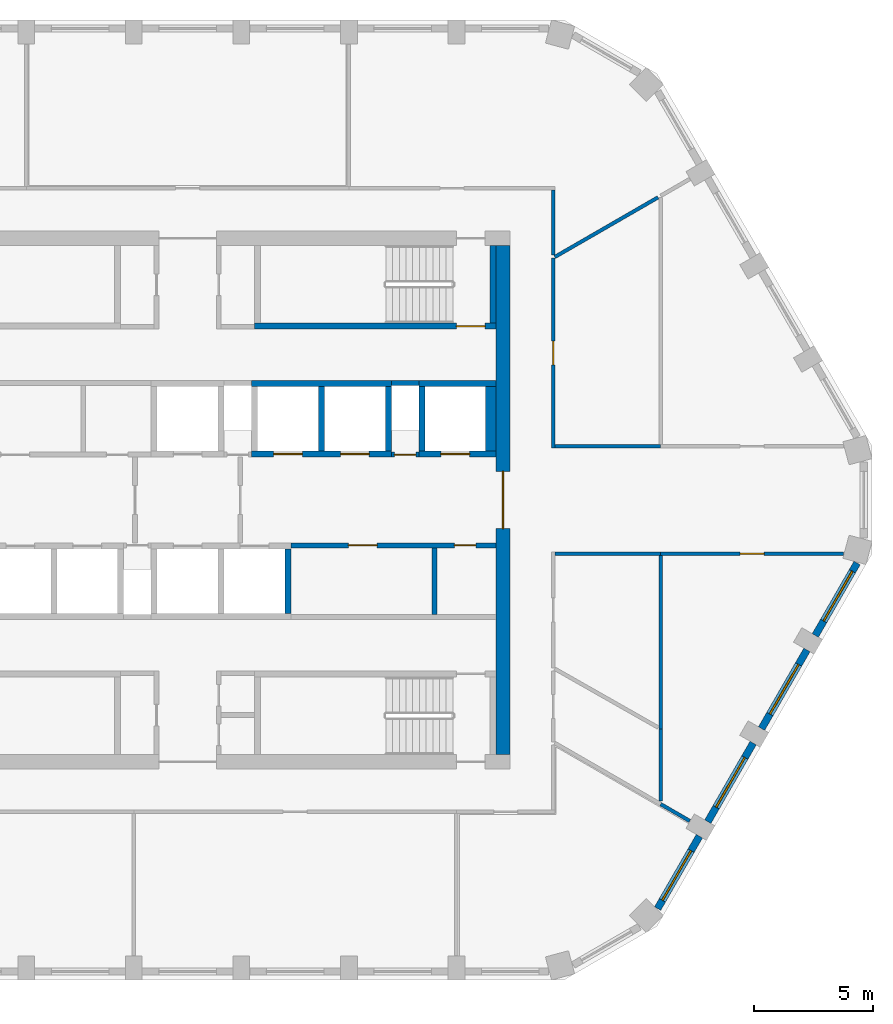
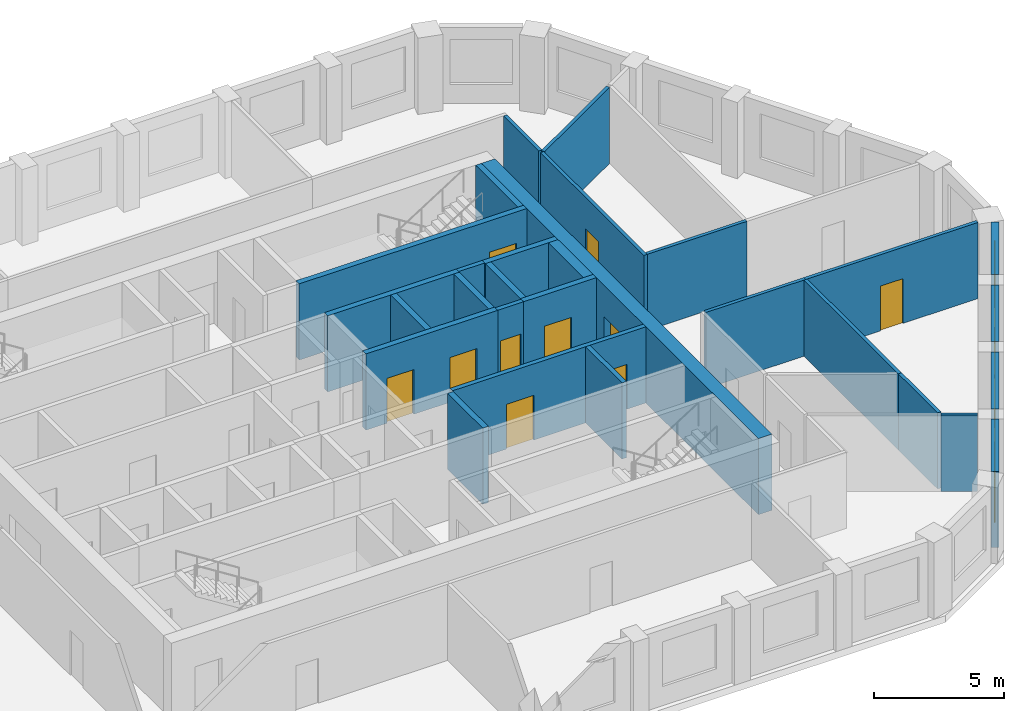
# One storey, part 5 of 10: 29 walls, 10 doors, 4 windows, 14 openings.
"""IFC4 building model written with IfcOpenShell, lengths in metres."""

from ifc_helpers import new_model, si_unit, direction, frame, frame_2d, origin, place, context, subcontext, project, spatial, polyline, rectangle, outline, extrude, material, layer, layer_set, type_object, element, fill, save


model = new_model("IFC4")

# Units and contexts
model_context = context("Model", 3, precision=1e-05, world=origin(), true_north=direction((0.0, 1.0)))
body_context = subcontext(model_context, "Body", "Model", "MODEL_VIEW")
ifc_project = project(units=[si_unit("LENGTHUNIT", "METRE"), si_unit("AREAUNIT", "SQUARE_METRE"), si_unit("VOLUMEUNIT", "CUBIC_METRE"), si_unit("PLANEANGLEUNIT", "RADIAN"), si_unit("MASSUNIT", "GRAM", prefix="KILO")], contexts=[model_context])

# Site, building, storey
site_placement = place(None, origin())
site = spatial("IfcSite", under=ifc_project, at=site_placement, CompositionType="ELEMENT")
building_placement = place(site_placement, origin())
building = spatial("IfcBuilding", under=site, at=building_placement, Name="Dhurran Vertical Campus", CompositionType="ELEMENT")
storey_placement = place(building_placement, frame((0.0, 0.0, 254.699951171875)))
storey = spatial("IfcBuildingStorey", under=building, at=storey_placement, Name="L63", CompositionType="ELEMENT", Elevation=254.699951171875)

# Wall, opening, window
ifc_material_1 = material(Name="Precast concrete C50/60", Category="concrete")
ifc_layer_1 = layer(ifc_material_1, 0.300048828125)
ifc_layer_set_1 = layer_set([ifc_layer_1], Name="Precast concrete C50/60")
wall_type_1 = type_object("IfcWallType", Name="Precast spandrel wall 300", PredefinedType="SOLIDWALL", material=ifc_layer_set_1)
wall_1_placement = place(storey_placement, frame((19.669921875, -17.09912109375, 0.0), z_axis=(0.0, 0.0, 1.0), x_axis=(0.499960102815, 0.866048437209, 0.0)))
wall_1 = element("IfcWall", 1, at=wall_1_placement, inside=storey, type_object=wall_type_1, Name="EW1 L63.08", PredefinedType="SOLIDWALL", context=body_context, shape_type="SweptSolid", body=[
    extrude(rectangle(XDim=3.497802734375, YDim=0.300048828125, at=frame_2d((1.7490234375, 0.0))), origin(), (0.0, 0.0, 1.0), 3.574951171875),
])
opening_1_placement = place(wall_1_placement, frame((0.398193359375, 0.0, 0.89990234375)))
opening_1 = element("IfcOpeningElement", 2, at=opening_1_placement, cuts=wall_1, Name="Opening WT1", PredefinedType="OPENING", context=body_context, shape_type="SweptSolid", body=[
    extrude(rectangle(XDim=2.39990234375, YDim=2.10009765625, at=frame_2d((1.199951171875, 1.050048828125))), frame((0.0, 0.159912109375, 0.0), z_axis=(0.0, -1.0, 0.0), x_axis=(1.0, 0.0, 0.0)), (0.0, 0.0, 1.0), 0.320068359375),
])
ifc_material_2 = material(Name="Aluminium frame with solar-control glass", Category="aluminium")
window_type = type_object("IfcWindowType", Name="Punched window 2400 x 2100", PartitioningType="SINGLE_PANEL", PredefinedType="WINDOW", material=ifc_material_2)
window_1_placement = place(opening_1_placement, origin())
window_1 = element("IfcWindow", 3, at=window_1_placement, inside=storey, type_object=window_type, Name="WT1 L63.08", OverallHeight=2.10009765625, OverallWidth=2.39990234375, PartitioningType="SINGLE_PANEL", PredefinedType="WINDOW", context=body_context, shape_type="SweptSolid", body=[
    extrude(rectangle(XDim=2.39990234375, YDim=2.10009765625, at=frame_2d((1.199951171875, 1.050048828125))), frame((0.0, 0.030029296875, 0.0), z_axis=(0.0, -1.0, 0.0), x_axis=(1.0, 0.0, 0.0)), (0.0, 0.0, 1.0), 0.06005859375),
])
fill(opening_1, window_1)

wall_2_placement = place(storey_placement, frame((21.769287109375, -13.462890625, 0.0), z_axis=(0.0, 0.0, 1.0), x_axis=(0.499982058975, 0.866035761792, 0.0)))
wall_2 = element("IfcWall", 4, at=wall_2_placement, inside=storey, type_object=wall_type_1, Name="EW1 L63.09", PredefinedType="SOLIDWALL", context=body_context, shape_type="SweptSolid", body=[
    extrude(rectangle(XDim=3.799072265625, YDim=0.300048828125, at=frame_2d((1.8994140625, 0.0))), origin(), (0.0, 0.0, 1.0), 3.574951171875),
])
opening_2_placement = place(wall_2_placement, frame((0.699462890625, 0.0, 0.89990234375)))
opening_2 = element("IfcOpeningElement", 5, at=opening_2_placement, cuts=wall_2, Name="Opening WT1", PredefinedType="OPENING", context=body_context, shape_type="SweptSolid", body=[
    extrude(rectangle(XDim=2.39990234375, YDim=2.10009765625, at=frame_2d((1.199951171875, 1.050048828125))), frame((0.0, 0.159912109375, 0.0), z_axis=(0.0, -1.0, 0.0), x_axis=(1.0, 0.0, 0.0)), (0.0, 0.0, 1.0), 0.320068359375),
])
window_2_placement = place(opening_2_placement, origin())
window_2 = element("IfcWindow", 6, at=window_2_placement, inside=storey, type_object=window_type, Name="WT1 L63.09", OverallHeight=2.10009765625, OverallWidth=2.39990234375, PartitioningType="SINGLE_PANEL", PredefinedType="WINDOW", context=body_context, shape_type="SweptSolid", body=[
    extrude(rectangle(XDim=2.39990234375, YDim=2.10009765625, at=frame_2d((1.199951171875, 1.050048828125))), frame((0.0, 0.030029296875, 0.0), z_axis=(0.0, -1.0, 0.0), x_axis=(1.0, 0.0, 0.0)), (0.0, 0.0, 1.0), 0.06005859375),
])
fill(opening_2, window_2)

wall_3_placement = place(storey_placement, frame((24.019287109375, -9.565673828125, 0.0), z_axis=(0.0, 0.0, 1.0), x_axis=(0.499982058975, 0.866035761792, 0.0)))
wall_3 = element("IfcWall", 7, at=wall_3_placement, inside=storey, type_object=wall_type_1, Name="EW1 L63.10", PredefinedType="SOLIDWALL", context=body_context, shape_type="SweptSolid", body=[
    extrude(rectangle(XDim=3.799072265625, YDim=0.300048828125, at=frame_2d((1.8994140625, 0.0))), origin(), (0.0, 0.0, 1.0), 3.574951171875),
])
opening_3_placement = place(wall_3_placement, frame((0.699462890625, 0.0, 0.89990234375)))
opening_3 = element("IfcOpeningElement", 8, at=opening_3_placement, cuts=wall_3, Name="Opening WT1", PredefinedType="OPENING", context=body_context, shape_type="SweptSolid", body=[
    extrude(rectangle(XDim=2.39990234375, YDim=2.10009765625, at=frame_2d((1.199951171875, 1.050048828125))), frame((0.0, 0.159912109375, 0.0), z_axis=(0.0, -1.0, 0.0), x_axis=(1.0, 0.0, 0.0)), (0.0, 0.0, 1.0), 0.320068359375),
])
window_3_placement = place(opening_3_placement, origin())
window_3 = element("IfcWindow", 9, at=window_3_placement, inside=storey, type_object=window_type, Name="WT1 L63.10", OverallHeight=2.10009765625, OverallWidth=2.39990234375, PartitioningType="SINGLE_PANEL", PredefinedType="WINDOW", context=body_context, shape_type="SweptSolid", body=[
    extrude(rectangle(XDim=2.39990234375, YDim=2.10009765625, at=frame_2d((1.199951171875, 1.050048828125))), frame((0.0, 0.030029296875, 0.0), z_axis=(0.0, -1.0, 0.0), x_axis=(1.0, 0.0, 0.0)), (0.0, 0.0, 1.0), 0.06005859375),
])
fill(opening_3, window_3)

wall_4_placement = place(storey_placement, frame((26.269287109375, -5.668701171875, 0.0), z_axis=(0.0, 0.0, 1.0), x_axis=(0.499990325971, 0.866030989016, 0.0)))
wall_4 = element("IfcWall", 10, at=wall_4_placement, inside=storey, type_object=wall_type_1, Name="EW1 L63.11", PredefinedType="SOLIDWALL", context=body_context, shape_type="SweptSolid", body=[
    extrude(rectangle(XDim=3.49755859375, YDim=0.300048828125, at=frame_2d((1.748779296875, 0.0))), origin(), (0.0, 0.0, 1.0), 3.574951171875),
])
opening_4_placement = place(wall_4_placement, frame((0.699462890625, 0.0, 0.89990234375)))
opening_4 = element("IfcOpeningElement", 11, at=opening_4_placement, cuts=wall_4, Name="Opening WT1", PredefinedType="OPENING", context=body_context, shape_type="SweptSolid", body=[
    extrude(rectangle(XDim=2.39990234375, YDim=2.10009765625, at=frame_2d((1.199951171875, 1.050048828125))), frame((0.0, 0.159912109375, 0.0), z_axis=(0.0, -1.0, 0.0), x_axis=(1.0, 0.0, 0.0)), (0.0, 0.0, 1.0), 0.320068359375),
])
window_4_placement = place(opening_4_placement, origin())
window_4 = element("IfcWindow", 12, at=window_4_placement, inside=storey, type_object=window_type, Name="WT1 L63.11", OverallHeight=2.10009765625, OverallWidth=2.39990234375, PartitioningType="SINGLE_PANEL", PredefinedType="WINDOW", context=body_context, shape_type="SweptSolid", body=[
    extrude(rectangle(XDim=2.39990234375, YDim=2.10009765625, at=frame_2d((1.199951171875, 1.050048828125))), frame((0.0, 0.030029296875, 0.0), z_axis=(0.0, -1.0, 0.0), x_axis=(1.0, 0.0, 0.0)), (0.0, 0.0, 1.0), 0.06005859375),
])
fill(opening_4, window_4)

# Wall, opening, door
ifc_material_3 = material(Name="Concrete C50/60", Category="concrete")
ifc_layer_2 = layer(ifc_material_3, 0.60009765625)
ifc_layer_set_2 = layer_set([ifc_layer_2], Name="Concrete C50/60")
wall_type_2 = type_object("IfcWallType", Name="co-CORE-WALL-C2-600", PredefinedType="SHEAR", material=ifc_layer_set_2)
wall_5_placement = place(storey_placement, frame((13.199951171875, -10.64990234375, 0.0), z_axis=(0.0, 0.0, 1.0), x_axis=(0.0, 1.0, 0.0)))
wall_5 = element("IfcWall", 13, at=wall_5_placement, inside=storey, type_object=wall_type_2, Name="Core wall E L63", PredefinedType="SHEAR", context=body_context, shape_type="SweptSolid", body=[
    extrude(rectangle(XDim=21.2998046875, YDim=0.60009765625, at=frame_2d((10.64990234375, 0.0))), origin(), (0.0, 0.0, 1.0), 3.574951171875),
])
opening_5_placement = place(wall_5_placement, frame((9.449951171875, 0.0, 0.0)))
opening_5 = element("IfcOpeningElement", 14, at=opening_5_placement, cuts=wall_5, Name="Opening CL2", PredefinedType="OPENING", context=body_context, shape_type="SweptSolid", body=[
    extrude(rectangle(XDim=2.39990234375, YDim=2.10009765625, at=frame_2d((1.199951171875, 1.050048828125))), frame((0.0, 0.31005859375, 0.0), z_axis=(0.0, -1.0, 0.0), x_axis=(1.0, 0.0, 0.0)), (0.0, 0.0, 1.0), 0.6201171875),
])
ifc_material_4 = material(Name="Fire-rated glazed door set")
door_type_1 = type_object("IfcDoorType", Name="co-D-LOBBY 2400x2100", OperationType="DOUBLE_DOOR_DOUBLE_SWING", PredefinedType="DOOR", material=ifc_material_4)
door_1_placement = place(opening_5_placement, origin())
door_1 = element("IfcDoor", 15, at=door_1_placement, inside=storey, type_object=door_type_1, Name="Lift lobby door E L63", OperationType="DOUBLE_DOOR_DOUBLE_SWING", OverallHeight=2.10009765625, OverallWidth=2.39990234375, PredefinedType="DOOR", context=body_context, shape_type="SweptSolid", body=[
    extrude(rectangle(XDim=2.39990234375, YDim=2.10009765625, at=frame_2d((1.199951171875, 1.050048828125))), frame((0.0, 0.02490234375, 0.0), z_axis=(0.0, -1.0, 0.0), x_axis=(1.0, 0.0, 0.0)), (0.0, 0.0, 1.0), 0.050048828125),
])
fill(opening_5, door_1)

ifc_material_5 = material(Name="Fire-rated masonry blockwork", Category="masonry")
ifc_layer_3 = layer(ifc_material_5, 0.199951171875)
ifc_layer_set_3 = layer_set([ifc_layer_3], Name="Fire-rated masonry blockwork")
wall_type_3 = type_object("IfcWallType", Name="co-FIRE-PARTITION-200", PredefinedType="PARTITIONING", material=ifc_layer_set_3)
wall_6_placement = place(storey_placement, frame((8.52490234375, 1.89990234375, 0.0), z_axis=(0.0, 0.0, 1.0), x_axis=(1.0, 0.0, 0.0)))
wall_6 = element("IfcWall", 16, at=wall_6_placement, inside=storey, type_object=wall_type_3, Name="Core partition fr-N2-f L63", PredefinedType="PARTITIONING", context=body_context, shape_type="SweptSolid", body=[
    extrude(rectangle(XDim=1.150146484375, YDim=0.199951171875, at=frame_2d((0.5751953125, 0.0))), origin(), (0.0, 0.0, 1.0), 3.574951171875),
])
opening_6_placement = place(wall_6_placement, frame((0.125, 0.0, 0.0)))
opening_6 = element("IfcOpeningElement", 17, at=opening_6_placement, cuts=wall_6, Name="Opening T18-C10", PredefinedType="OPENING", context=body_context, shape_type="SweptSolid", body=[
    extrude(rectangle(XDim=0.89990234375, YDim=2.10009765625, at=frame_2d((0.449951171875, 1.050048828125))), frame((0.0, 0.10986328125, 0.0), z_axis=(0.0, -1.0, 0.0), x_axis=(1.0, 0.0, 0.0)), (0.0, 0.0, 1.0), 0.219970703125),
])
ifc_material_6 = material(Name="Fire-rated timber door set", Category="wood")
door_type_2 = type_object("IfcDoorType", Name="co-D-ROOM 900x2100", OperationType="SINGLE_SWING_LEFT", PredefinedType="DOOR", material=ifc_material_6)
door_2_placement = place(opening_6_placement, origin())
door_2 = element("IfcDoor", 18, at=door_2_placement, inside=storey, type_object=door_type_2, Name="Electrical riser door L63", OperationType="SINGLE_SWING_LEFT", OverallHeight=2.10009765625, OverallWidth=0.89990234375, PredefinedType="DOOR", context=body_context, shape_type="SweptSolid", body=[
    extrude(rectangle(XDim=0.89990234375, YDim=2.10009765625, at=frame_2d((0.449951171875, 1.050048828125))), frame((0.0, 0.02490234375, 0.0), z_axis=(0.0, -1.0, 0.0), x_axis=(1.0, 0.0, 0.0)), (0.0, 0.0, 1.0), 0.050048828125),
])
fill(opening_6, door_2)

# Walls
wall_7_placement = place(storey_placement, frame((8.52490234375, 4.89990234375, 0.0), z_axis=(0.0, 0.0, 1.0), x_axis=(1.0, 0.0, 0.0)))
element("IfcWall", 19, at=wall_7_placement, inside=storey, type_object=wall_type_3, Name="Core partition fr-N2-b L63", PredefinedType="PARTITIONING", context=body_context, shape_type="SweptSolid", body=[
    extrude(rectangle(XDim=1.150146484375, YDim=0.199951171875, at=frame_2d((0.5751953125, 0.0))), origin(), (0.0, 0.0, 1.0), 3.574951171875),
])
wall_8_placement = place(storey_placement, frame((10.327392578125, -4.800048828125, 0.0), z_axis=(0.0, 0.0, 1.0), x_axis=(0.0, 1.0, 0.0)))
element("IfcWall", 20, at=wall_8_placement, inside=storey, type_object=wall_type_3, Name="Core partition fr-S2-cut0 L63", PredefinedType="PARTITIONING", context=body_context, shape_type="SweptSolid", body=[
    extrude(rectangle(XDim=2.800048828125, YDim=0.199951171875, at=frame_2d((1.39990234375, 0.0))), origin(), (0.0, 0.0, 1.0), 3.574951171875),
])

# Wall, openings, doors
wall_9_placement = place(storey_placement, frame((4.324951171875, -1.89990234375, 0.0), z_axis=(0.0, 0.0, 1.0), x_axis=(1.0, 0.0, 0.0)))
wall_9 = element("IfcWall", 21, at=wall_9_placement, inside=storey, type_object=wall_type_3, Name="Core partition fr-S2-f L63", PredefinedType="PARTITIONING", context=body_context, shape_type="SweptSolid", body=[
    extrude(rectangle(XDim=8.574951171875, YDim=0.199951171875, at=frame_2d((4.28759765625, 0.0))), origin(), (0.0, 0.0, 1.0), 3.574951171875),
])
opening_7_placement = place(wall_9_placement, frame((2.4013671875, 0.0, 0.0)))
opening_7 = element("IfcOpeningElement", 22, at=opening_7_placement, cuts=wall_9, Name="Opening T18-C13", PredefinedType="OPENING", context=body_context, shape_type="SweptSolid", body=[
    extrude(rectangle(XDim=1.199951171875, YDim=2.10009765625, at=frame_2d((0.60009765625, 1.050048828125))), frame((0.0, 0.10986328125, 0.0), z_axis=(0.0, -1.0, 0.0), x_axis=(1.0, 0.0, 0.0)), (0.0, 0.0, 1.0), 0.219970703125),
])
opening_8_placement = place(wall_9_placement, frame((6.8388671875, 0.0, 0.0)))
opening_8 = element("IfcOpeningElement", 23, at=opening_8_placement, cuts=wall_9, Name="Opening T18-C14", PredefinedType="OPENING", context=body_context, shape_type="SweptSolid", body=[
    extrude(rectangle(XDim=0.89990234375, YDim=2.10009765625, at=frame_2d((0.449951171875, 1.050048828125))), frame((0.0, 0.10986328125, 0.0), z_axis=(0.0, -1.0, 0.0), x_axis=(1.0, 0.0, 0.0)), (0.0, 0.0, 1.0), 0.219970703125),
])
door_3_placement = place(opening_8_placement, origin())
door_3 = element("IfcDoor", 24, at=door_3_placement, inside=storey, type_object=door_type_2, Name="Pantry door L63", OperationType="SINGLE_SWING_LEFT", OverallHeight=2.10009765625, OverallWidth=0.89990234375, PredefinedType="DOOR", context=body_context, shape_type="SweptSolid", body=[
    extrude(rectangle(XDim=0.89990234375, YDim=2.10009765625, at=frame_2d((0.449951171875, 1.050048828125))), frame((0.0, 0.02490234375, 0.0), z_axis=(0.0, -1.0, 0.0), x_axis=(1.0, 0.0, 0.0)), (0.0, 0.0, 1.0), 0.050048828125),
])
fill(opening_8, door_3)
ifc_material_7 = material(Name="Fire-rated steel door set", Category="steel")
door_type_3 = type_object("IfcDoorType", Name="co-D-ROOM-PASSAGE 1200x2100", OperationType="SINGLE_SWING_RIGHT", PredefinedType="DOOR", material=ifc_material_7)
door_4_placement = place(opening_7_placement, origin())
door_4 = element("IfcDoor", 25, at=door_4_placement, inside=storey, type_object=door_type_3, Name="Communications room door L63", OperationType="SINGLE_SWING_RIGHT", OverallHeight=2.10009765625, OverallWidth=1.199951171875, PredefinedType="DOOR", context=body_context, shape_type="SweptSolid", body=[
    extrude(rectangle(XDim=1.199951171875, YDim=2.10009765625, at=frame_2d((0.60009765625, 1.050048828125))), frame((0.0, 0.02490234375, 0.0), z_axis=(0.0, -1.0, 0.0), x_axis=(1.0, 0.0, 0.0)), (0.0, 0.0, 1.0), 0.050048828125),
])
fill(opening_7, door_4)

ifc_material_8 = material(Name="Concrete C50/60", Category="concrete")
ifc_layer_4 = layer(ifc_material_8, 0.25)
ifc_layer_set_4 = layer_set([ifc_layer_4], Name="Concrete C50/60")
wall_type_4 = type_object("IfcWallType", Name="co-SHAFT-FRONT-250", PredefinedType="SHEAR", material=ifc_layer_set_4)
wall_10_placement = place(storey_placement, frame((2.675048828125, 1.925048828125, 0.0), z_axis=(0.0, 0.0, 1.0), x_axis=(1.0, 0.0, 0.0)))
wall_10 = element("IfcWall", 26, at=wall_10_placement, inside=storey, type_object=wall_type_4, Name="Lift landing wall N L63", PredefinedType="SHEAR", context=body_context, shape_type="SweptSolid", body=[
    extrude(rectangle(XDim=5.849853515625, YDim=0.25, at=frame_2d((2.9248046875, 0.0))), origin(), (0.0, 0.0, 1.0), 3.574951171875),
])
opening_9_placement = place(wall_10_placement, frame((0.925048828125, 0.0, 0.0)))
opening_9 = element("IfcOpeningElement", 27, at=opening_9_placement, cuts=wall_10, Name="Opening LD", PredefinedType="OPENING", context=body_context, shape_type="SweptSolid", body=[
    extrude(rectangle(XDim=1.199951171875, YDim=2.10009765625, at=frame_2d((0.60009765625, 1.050048828125))), frame((0.0, 0.135009765625, 0.0), z_axis=(0.0, -1.0, 0.0), x_axis=(1.0, 0.0, 0.0)), (0.0, 0.0, 1.0), 0.27001953125),
])
opening_10_placement = place(wall_10_placement, frame((3.72509765625, 0.0, 0.0)))
opening_10 = element("IfcOpeningElement", 28, at=opening_10_placement, cuts=wall_10, Name="Opening LD", PredefinedType="OPENING", context=body_context, shape_type="SweptSolid", body=[
    extrude(rectangle(XDim=1.199951171875, YDim=2.10009765625, at=frame_2d((0.60009765625, 1.050048828125))), frame((0.0, 0.135009765625, 0.0), z_axis=(0.0, -1.0, 0.0), x_axis=(1.0, 0.0, 0.0)), (0.0, 0.0, 1.0), 0.27001953125),
])
ifc_material_9 = material(Name="Stainless steel landing door", Category="steel")
door_type_4 = type_object("IfcDoorType", Name="co-D-LANDING 1200x2100", OperationType="DOUBLE_DOOR_SLIDING", PredefinedType="DOOR", material=ifc_material_9)
door_5_placement = place(opening_9_placement, origin())
door_5 = element("IfcDoor", 29, at=door_5_placement, inside=storey, type_object=door_type_4, Name="Landing door HR1 L63", OperationType="DOUBLE_DOOR_SLIDING", OverallHeight=2.10009765625, OverallWidth=1.199951171875, PredefinedType="DOOR", context=body_context, shape_type="SweptSolid", body=[
    extrude(rectangle(XDim=1.199951171875, YDim=2.10009765625, at=frame_2d((0.60009765625, 1.050048828125))), frame((0.0, 0.02490234375, 0.0), z_axis=(0.0, -1.0, 0.0), x_axis=(1.0, 0.0, 0.0)), (0.0, 0.0, 1.0), 0.050048828125),
])
fill(opening_9, door_5)
door_6_placement = place(opening_10_placement, origin())
door_6 = element("IfcDoor", 30, at=door_6_placement, inside=storey, type_object=door_type_4, Name="Landing door HR2 L63", OperationType="DOUBLE_DOOR_SLIDING", OverallHeight=2.10009765625, OverallWidth=1.199951171875, PredefinedType="DOOR", context=body_context, shape_type="SweptSolid", body=[
    extrude(rectangle(XDim=1.199951171875, YDim=2.10009765625, at=frame_2d((0.60009765625, 1.050048828125))), frame((0.0, 0.02490234375, 0.0), z_axis=(0.0, -1.0, 0.0), x_axis=(1.0, 0.0, 0.0)), (0.0, 0.0, 1.0), 0.050048828125),
])
fill(opening_10, door_6)

# Wall, opening, door
wall_11_placement = place(storey_placement, frame((9.675048828125, 1.925048828125, 0.0), z_axis=(0.0, 0.0, 1.0), x_axis=(1.0, 0.0, 0.0)))
wall_11 = element("IfcWall", 31, at=wall_11_placement, inside=storey, type_object=wall_type_4, Name="Lift landing wall N L63", PredefinedType="SHEAR", context=body_context, shape_type="SweptSolid", body=[
    extrude(rectangle(XDim=3.224853515625, YDim=0.25, at=frame_2d((1.6123046875, 0.0))), origin(), (0.0, 0.0, 1.0), 3.574951171875),
])
opening_11_placement = place(wall_11_placement, frame((0.925048828125, 0.0, 0.0)))
opening_11 = element("IfcOpeningElement", 32, at=opening_11_placement, cuts=wall_11, Name="Opening LD", PredefinedType="OPENING", context=body_context, shape_type="SweptSolid", body=[
    extrude(rectangle(XDim=1.199951171875, YDim=2.10009765625, at=frame_2d((0.60009765625, 1.050048828125))), frame((0.0, 0.135009765625, 0.0), z_axis=(0.0, -1.0, 0.0), x_axis=(1.0, 0.0, 0.0)), (0.0, 0.0, 1.0), 0.27001953125),
])
door_7_placement = place(opening_11_placement, origin())
door_7 = element("IfcDoor", 33, at=door_7_placement, inside=storey, type_object=door_type_4, Name="Landing door SV2 L63", OperationType="DOUBLE_DOOR_SLIDING", OverallHeight=2.10009765625, OverallWidth=1.199951171875, PredefinedType="DOOR", context=body_context, shape_type="SweptSolid", body=[
    extrude(rectangle(XDim=1.199951171875, YDim=2.10009765625, at=frame_2d((0.60009765625, 1.050048828125))), frame((0.0, 0.02490234375, 0.0), z_axis=(0.0, -1.0, 0.0), x_axis=(1.0, 0.0, 0.0)), (0.0, 0.0, 1.0), 0.050048828125),
])
fill(opening_11, door_7)

# Walls
ifc_material_10 = material(Name="Concrete C50/60", Category="concrete")
ifc_layer_5 = layer(ifc_material_10, 0.25)
ifc_layer_set_5 = layer_set([ifc_layer_5], Name="Concrete C50/60")
wall_type_5 = type_object("IfcWallType", Name="co-SHAFT-MASS-250", PredefinedType="SHEAR", material=ifc_layer_set_5)
wall_12_placement = place(storey_placement, origin())
element("IfcWall", 34, at=wall_12_placement, inside=storey, type_object=wall_type_5, Name="Lift shaft wall N L63 2", PredefinedType="SHEAR", context=body_context, shape_type="SweptSolid", body=[
    extrude(outline(polyline([(2.675048828125, 4.75), (8.52490234375, 4.75), (8.52490234375, 5.0), (2.675048828125, 5.0), (2.675048828125, 4.75)])), origin(), (0.0, 0.0, 1.0), 3.574951171875),
])
wall_13_placement = place(storey_placement, origin())
element("IfcWall", 35, at=wall_13_placement, inside=storey, type_object=wall_type_5, Name="Lift shaft wall N L63 3", PredefinedType="SHEAR", context=body_context, shape_type="SweptSolid", body=[
    extrude(outline(polyline([(9.675048828125, 4.75), (12.89990234375, 4.75), (12.89990234375, 5.0), (9.675048828125, 5.0), (9.675048828125, 4.75)])), origin(), (0.0, 0.0, 1.0), 3.574951171875),
])
wall_14_placement = place(storey_placement, origin())
element("IfcWall", 36, at=wall_14_placement, inside=storey, type_object=wall_type_5, Name="Lift shaft wall N L63 7", PredefinedType="SHEAR", context=body_context, shape_type="SweptSolid", body=[
    extrude(outline(polyline([(5.47509765625, 2.050048828125), (5.72509765625, 2.050048828125), (5.72509765625, 4.75), (5.47509765625, 4.75), (5.47509765625, 2.050048828125)])), origin(), (0.0, 0.0, 1.0), 3.574951171875),
])
wall_15_placement = place(storey_placement, origin())
element("IfcWall", 37, at=wall_15_placement, inside=storey, type_object=wall_type_5, Name="Lift shaft wall N L63 8", PredefinedType="SHEAR", context=body_context, shape_type="SweptSolid", body=[
    extrude(outline(polyline([(8.27490234375, 2.050048828125), (8.52490234375, 2.050048828125), (8.52490234375, 4.75), (8.27490234375, 4.75), (8.27490234375, 2.050048828125)])), origin(), (0.0, 0.0, 1.0), 3.574951171875),
])
wall_16_placement = place(storey_placement, origin())
element("IfcWall", 38, at=wall_16_placement, inside=storey, type_object=wall_type_5, Name="Lift shaft wall N L63 9", PredefinedType="SHEAR", context=body_context, shape_type="SweptSolid", body=[
    extrude(outline(polyline([(9.675048828125, 2.050048828125), (9.925048828125, 2.050048828125), (9.925048828125, 4.75), (9.675048828125, 4.75), (9.675048828125, 2.050048828125)])), origin(), (0.0, 0.0, 1.0), 3.574951171875),
])
wall_17_placement = place(storey_placement, origin())
element("IfcWall", 39, at=wall_17_placement, inside=storey, type_object=wall_type_5, Name="Lift shaft wall N L63 10", PredefinedType="SHEAR", context=body_context, shape_type="SweptSolid", body=[
    extrude(outline(polyline([(12.47509765625, 2.050048828125), (12.89990234375, 2.050048828125), (12.89990234375, 4.75), (12.47509765625, 4.75), (12.47509765625, 2.050048828125)])), origin(), (0.0, 0.0, 1.0), 3.574951171875),
])
wall_18_placement = place(storey_placement, origin())
element("IfcWall", 40, at=wall_18_placement, inside=storey, type_object=wall_type_5, Name="Lift shaft wall S L63 9", PredefinedType="SHEAR", context=body_context, shape_type="SweptSolid", body=[
    extrude(outline(polyline([(4.074951171875, -4.75), (4.324951171875, -4.75), (4.324951171875, -2.050048828125), (4.074951171875, -2.050048828125), (4.074951171875, -4.75)])), origin(), (0.0, 0.0, 1.0), 3.574951171875),
])

# Wall, opening, door
ifc_material_11 = material(Name="Concrete C40/50", Category="concrete")
ifc_layer_6 = layer(ifc_material_11, 0.25)
ifc_layer_set_6 = layer_set([ifc_layer_6], Name="Concrete C40/50")
wall_type_6 = type_object("IfcWallType", Name="co-STAIR-WALL-250", PredefinedType="SHEAR", material=ifc_layer_set_6)
wall_19_placement = place(storey_placement, frame((2.800048828125, 7.27490234375, 0.0), z_axis=(0.0, 0.0, 1.0), x_axis=(1.0, 0.0, 0.0)))
wall_19 = element("IfcWall", 41, at=wall_19_placement, inside=storey, type_object=wall_type_6, Name="Stair ST2 enclosure wall L63", PredefinedType="SHEAR", context=body_context, shape_type="SweptSolid", body=[
    extrude(rectangle(XDim=10.099853515625, YDim=0.25, at=frame_2d((5.0498046875, 0.0))), origin(), (0.0, 0.0, 1.0), 3.574951171875),
])
opening_12_placement = place(wall_19_placement, frame((8.449951171875, 0.0, 0.0)))
opening_12 = element("IfcOpeningElement", 42, at=opening_12_placement, cuts=wall_19, Name="Opening SD2", PredefinedType="OPENING", context=body_context, shape_type="SweptSolid", body=[
    extrude(rectangle(XDim=1.199951171875, YDim=2.10009765625, at=frame_2d((0.60009765625, 1.050048828125))), frame((0.0, 0.135009765625, 0.0), z_axis=(0.0, -1.0, 0.0), x_axis=(1.0, 0.0, 0.0)), (0.0, 0.0, 1.0), 0.27001953125),
])
ifc_material_12 = material(Name="Fire-rated steel door set", Category="steel")
door_type_5 = type_object("IfcDoorType", Name="co-D-STAIR 1200x2100", OperationType="SINGLE_SWING_LEFT", PredefinedType="DOOR", material=ifc_material_12)
door_8_placement = place(opening_12_placement, origin())
door_8 = element("IfcDoor", 43, at=door_8_placement, inside=storey, type_object=door_type_5, Name="Stair ST2 door L63", OperationType="SINGLE_SWING_LEFT", OverallHeight=2.10009765625, OverallWidth=1.199951171875, PredefinedType="DOOR", context=body_context, shape_type="SweptSolid", body=[
    extrude(rectangle(XDim=1.199951171875, YDim=2.10009765625, at=frame_2d((0.60009765625, 1.050048828125))), frame((0.0, 0.02490234375, 0.0), z_axis=(0.0, -1.0, 0.0), x_axis=(1.0, 0.0, 0.0)), (0.0, 0.0, 1.0), 0.050048828125),
])
fill(opening_12, door_8)

# Walls
wall_20_placement = place(storey_placement, frame((12.77490234375, 7.39990234375, 0.0), z_axis=(0.0, 0.0, 1.0), x_axis=(0.0, 1.0, 0.0)))
element("IfcWall", 44, at=wall_20_placement, inside=storey, type_object=wall_type_6, Name="Stair ST2 enclosure wall L63", PredefinedType="SHEAR", context=body_context, shape_type="SweptSolid", body=[
    extrude(rectangle(XDim=3.25, YDim=0.25, at=frame_2d((1.625, 0.0))), origin(), (0.0, 0.0, 1.0), 3.574951171875),
])
ifc_material_13 = material(Name="Gypsum board corridor wall on steel studs", Category="steel")
ifc_layer_7 = layer(ifc_material_13, 0.14990234375)
ifc_layer_set_7 = layer_set([ifc_layer_7], Name="Gypsum board corridor wall on steel studs")
wall_type_7 = type_object("IfcWallType", Name="fl-CW-150 corridor wall", PredefinedType="PARTITIONING", material=ifc_layer_set_7)
wall_21_placement = place(storey_placement, frame((19.800048828125, -2.25, 0.0), z_axis=(0.0, 0.0, 1.0), x_axis=(-1.0, 0.0, 0.0)))
element("IfcWall", 45, at=wall_21_placement, inside=storey, type_object=wall_type_7, Name="Partition 63-25", PredefinedType="PARTITIONING", context=body_context, shape_type="SweptSolid", body=[
    extrude(rectangle(XDim=4.425048828125, YDim=0.14990234375, at=frame_2d((2.21240234375, 0.0))), origin(), (0.0, 0.0, 1.0), 3.574951171875),
])

# Wall, opening, door
wall_22_placement = place(storey_placement, frame((15.300048828125, 2.175048828125, 0.0), z_axis=(0.0, 0.0, 1.0), x_axis=(0.0, 1.0, 0.0)))
wall_22 = element("IfcWall", 46, at=wall_22_placement, inside=storey, type_object=wall_type_7, Name="Partition 63-26", PredefinedType="PARTITIONING", context=body_context, shape_type="SweptSolid", body=[
    extrude(rectangle(XDim=7.95703125, YDim=0.14990234375, at=frame_2d((3.978515625, 0.0))), origin(), (0.0, 0.0, 1.0), 3.574951171875),
])
opening_13_placement = place(wall_22_placement, frame((3.478515625, 0.0, 0.0)))
opening_13 = element("IfcOpeningElement", 47, at=opening_13_placement, cuts=wall_22, Name="Opening T18.11", PredefinedType="OPENING", context=body_context, shape_type="SweptSolid", body=[
    extrude(rectangle(XDim=1.0, YDim=2.10009765625, at=frame_2d((0.5, 1.050048828125))), frame((0.0, 0.0849609375, 0.0), z_axis=(0.0, -1.0, 0.0), x_axis=(1.0, 0.0, 0.0)), (0.0, 0.0, 1.0), 0.169921875),
])
ifc_material_14 = material(Name="Solid-core timber door set, fire-rated", Category="wood")
door_type_6 = type_object("IfcDoorType", Name="fl-D-1000x2100", OperationType="SINGLE_SWING_LEFT", PredefinedType="DOOR", material=ifc_material_14)
door_9_placement = place(opening_13_placement, origin())
door_9 = element("IfcDoor", 48, at=door_9_placement, inside=storey, type_object=door_type_6, Name="Door 63.11", OperationType="SINGLE_SWING_LEFT", OverallHeight=2.10009765625, OverallWidth=1.0, PredefinedType="DOOR", context=body_context, shape_type="SweptSolid", body=[
    extrude(rectangle(XDim=1.0, YDim=2.10009765625, at=frame_2d((0.5, 1.050048828125))), frame((0.0, 0.02490234375, 0.0), z_axis=(0.0, -1.0, 0.0), x_axis=(1.0, 0.0, 0.0)), (0.0, 0.0, 1.0), 0.050048828125),
])
fill(opening_13, door_9)

# Walls
wall_23_placement = place(storey_placement, frame((15.375, 2.25, 0.0), z_axis=(0.0, 0.0, 1.0), x_axis=(1.0, 0.0, 0.0)))
element("IfcWall", 49, at=wall_23_placement, inside=storey, type_object=wall_type_7, Name="Partition 63-27", PredefinedType="PARTITIONING", context=body_context, shape_type="SweptSolid", body=[
    extrude(rectangle(XDim=4.425048828125, YDim=0.14990234375, at=frame_2d((2.21240234375, 0.0))), origin(), (0.0, 0.0, 1.0), 3.574951171875),
])
wall_24_placement = place(storey_placement, frame((15.300048828125, 10.261962890625, 0.0), z_axis=(0.0, 0.0, 1.0), x_axis=(0.0, 1.0, 0.0)))
element("IfcWall", 50, at=wall_24_placement, inside=storey, type_object=wall_type_7, Name="Partition 63-28", PredefinedType="PARTITIONING", context=body_context, shape_type="SweptSolid", body=[
    extrude(rectangle(XDim=2.713134765625, YDim=0.14990234375, at=frame_2d((1.3564453125, 0.0))), origin(), (0.0, 0.0, 1.0), 3.574951171875),
])

# Wall, opening, door
wall_25_placement = place(storey_placement, frame((27.452392578125, -2.25, 0.0), z_axis=(0.0, 0.0, 1.0), x_axis=(-1.0, 0.0, 0.0)))
wall_25 = element("IfcWall", 51, at=wall_25_placement, inside=storey, type_object=wall_type_7, Name="Partition 63-33", PredefinedType="PARTITIONING", context=body_context, shape_type="SweptSolid", body=[
    extrude(rectangle(XDim=7.65234375, YDim=0.14990234375, at=frame_2d((3.826171875, 0.0))), origin(), (0.0, 0.0, 1.0), 3.574951171875),
])
opening_14_placement = place(wall_25_placement, frame((3.326171875, 0.0, 0.0)))
opening_14 = element("IfcOpeningElement", 52, at=opening_14_placement, cuts=wall_25, Name="Opening T18.13", PredefinedType="OPENING", context=body_context, shape_type="SweptSolid", body=[
    extrude(rectangle(XDim=1.0, YDim=2.10009765625, at=frame_2d((0.5, 1.050048828125))), frame((0.0, 0.0849609375, 0.0), z_axis=(0.0, -1.0, 0.0), x_axis=(1.0, 0.0, 0.0)), (0.0, 0.0, 1.0), 0.169921875),
])
door_10_placement = place(opening_14_placement, origin())
door_10 = element("IfcDoor", 53, at=door_10_placement, inside=storey, type_object=door_type_6, Name="Door 63.13", OperationType="SINGLE_SWING_LEFT", OverallHeight=2.10009765625, OverallWidth=1.0, PredefinedType="DOOR", context=body_context, shape_type="SweptSolid", body=[
    extrude(rectangle(XDim=1.0, YDim=2.10009765625, at=frame_2d((0.5, 1.050048828125))), frame((0.0, 0.02490234375, 0.0), z_axis=(0.0, -1.0, 0.0), x_axis=(1.0, 0.0, 0.0)), (0.0, 0.0, 1.0), 0.050048828125),
])
fill(opening_14, door_10)

# Walls
ifc_material_15 = material(Name="Gypsum board partition on steel studs", Category="steel")
ifc_layer_8 = layer(ifc_material_15, 0.14990234375)
ifc_layer_set_8 = layer_set([ifc_layer_8], Name="Gypsum board partition on steel studs")
wall_type_8 = type_object("IfcWallType", Name="fl-PW-150 fixed partition", PredefinedType="PARTITIONING", material=ifc_layer_set_8)
wall_26_placement = place(storey_placement, frame((19.6875, 12.6650390625, 0.0), z_axis=(0.0, 0.0, 1.0), x_axis=(-0.866025118187, -0.500000494669, 0.0)))
element("IfcWall", 54, at=wall_26_placement, inside=storey, type_object=wall_type_8, Name="Partition 63-29", PredefinedType="PARTITIONING", context=body_context, shape_type="SweptSolid", body=[
    extrude(rectangle(XDim=4.9912109375, YDim=0.14990234375, at=frame_2d((2.49560546875, 0.0))), origin(), (0.0, 0.0, 1.0), 3.574951171875),
])
wall_27_placement = place(storey_placement, frame((19.800048828125, -9.5830078125, 0.0), z_axis=(0.0, 0.0, 1.0), x_axis=(0.0, -1.0, 0.0)))
element("IfcWall", 55, at=wall_27_placement, inside=storey, type_object=wall_type_8, Name="Partition 63-30", PredefinedType="PARTITIONING", context=body_context, shape_type="SweptSolid", body=[
    extrude(rectangle(XDim=3.01708984375, YDim=0.14990234375, at=frame_2d((1.508544921875, 0.0))), origin(), (0.0, 0.0, 1.0), 3.574951171875),
])
wall_28_placement = place(storey_placement, frame((19.800048828125, -12.72998046875, 0.0), z_axis=(0.0, 0.0, 1.0), x_axis=(0.865918715181, -0.500184744569, 0.0)))
element("IfcWall", 56, at=wall_28_placement, inside=storey, type_object=wall_type_8, Name="Partition 63-31", PredefinedType="PARTITIONING", context=body_context, shape_type="SweptSolid", body=[
    extrude(rectangle(XDim=1.40185546875, YDim=0.14990234375, at=frame_2d((0.700927734375, 0.0))), origin(), (0.0, 0.0, 1.0), 3.574951171875),
])
wall_29_placement = place(storey_placement, frame((19.800048828125, -2.324951171875, 0.0), z_axis=(0.0, 0.0, 1.0), x_axis=(0.0, -1.0, 0.0)))
element("IfcWall", 57, at=wall_29_placement, inside=storey, type_object=wall_type_8, Name="Partition 63-32", PredefinedType="PARTITIONING", context=body_context, shape_type="SweptSolid", body=[
    extrude(rectangle(XDim=7.258056640625, YDim=0.14990234375, at=frame_2d((3.62890625, 0.0))), origin(), (0.0, 0.0, 1.0), 3.574951171875),
])

save(model, "model.ifc")
